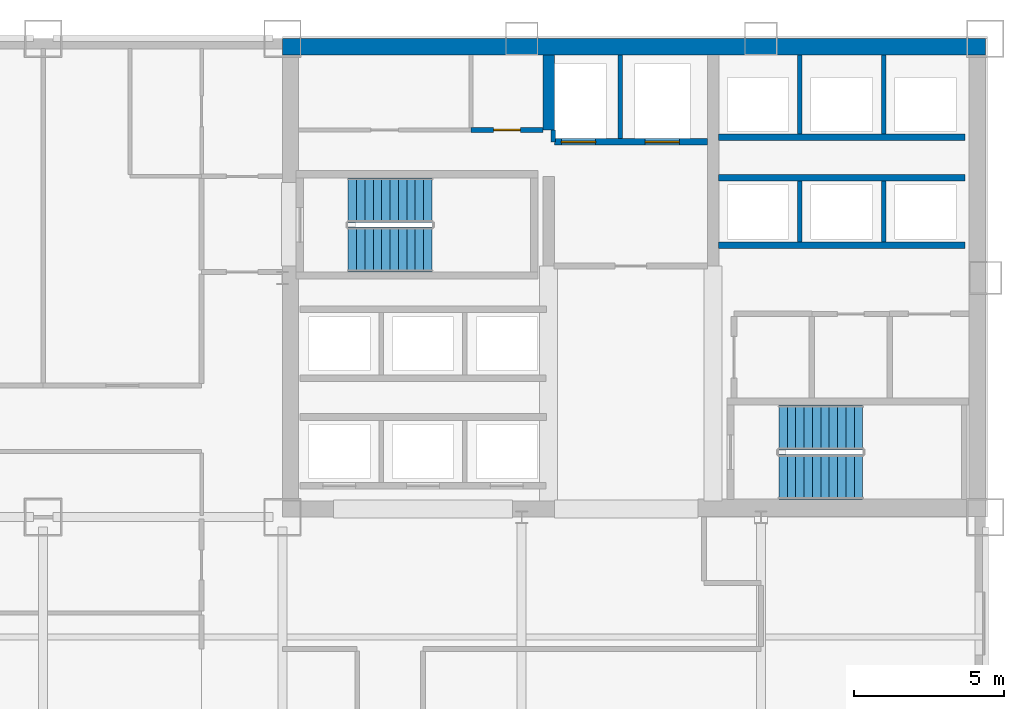
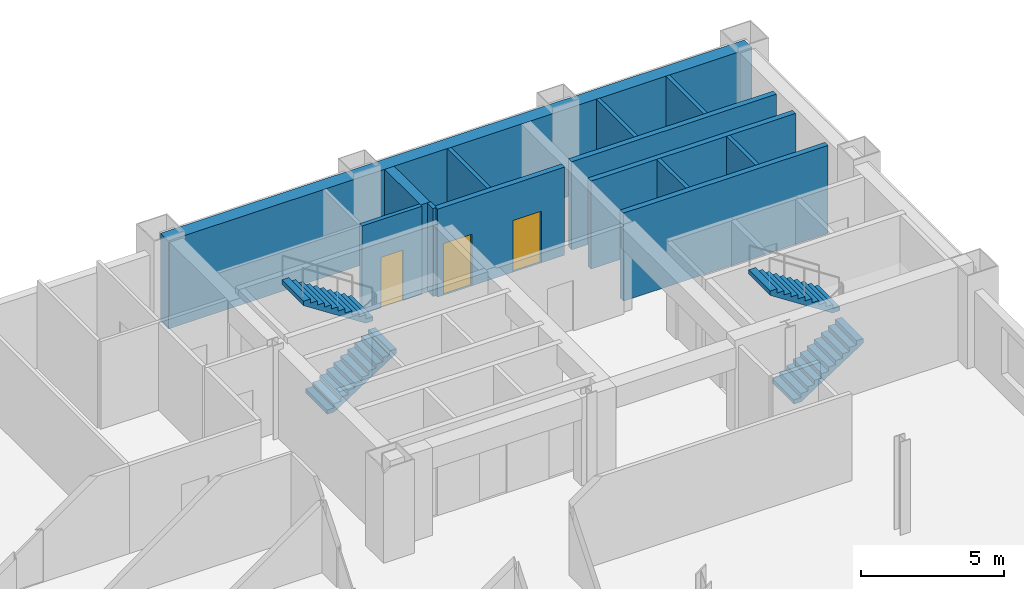
# One storey, part 7 of 9: 13 walls, 4 stair flights, 3 doors, 3 openings, 2 elements without a shape of their own.
"""IFC4 building model written with IfcOpenShell, lengths in metres."""

from ifc_helpers import new_model, si_unit, direction, frame, frame_2d, origin, place, context, subcontext, project, spatial, polyline, rectangle, outline, extrude, material, layer, layer_set, type_object, element, fill, aggregate, save


model = new_model("IFC4")

# Units and contexts
model_context = context("Model", 3, precision=1e-05, world=origin(), true_north=direction((0.0, 1.0)))
body_context = subcontext(model_context, "Body", "Model", "MODEL_VIEW")
ifc_project = project(units=[si_unit("LENGTHUNIT", "METRE"), si_unit("AREAUNIT", "SQUARE_METRE"), si_unit("VOLUMEUNIT", "CUBIC_METRE"), si_unit("PLANEANGLEUNIT", "RADIAN"), si_unit("MASSUNIT", "GRAM", prefix="KILO")], contexts=[model_context])

# Site, building, storey
site_placement = place(None, origin())
site = spatial("IfcSite", under=ifc_project, at=site_placement, CompositionType="ELEMENT")
building_placement = place(site_placement, origin())
building = spatial("IfcBuilding", under=site, at=building_placement, Name="Qianrong Seaharbour Tower", CompositionType="ELEMENT")
storey_placement = place(building_placement, frame((0.0, 0.0, 44.199951171875)))
storey = spatial("IfcBuildingStorey", under=building, at=storey_placement, Name="L10", CompositionType="ELEMENT", Elevation=44.199951171875)

# Walls
ifc_material_1 = material(Name="Concrete C70/85", Category="concrete")
ifc_layer_1 = layer(ifc_material_1, 0.5400390625)
ifc_layer_set_1 = layer_set([ifc_layer_1], Name="Concrete C70/85")
wall_type_1 = type_object("IfcWallType", Name="WALL-CORE-540", PredefinedType="SHEAR", material=ifc_layer_set_1)
wall_1_placement = place(storey_placement, frame((40.5, 51.72998046875, 0.0), z_axis=(0.0, 0.0, 1.0), x_axis=(1.0, 0.0, 0.0)))
element("IfcWall", 1, at=wall_1_placement, inside=storey, type_object=wall_type_1, Name="L10 North Core Shear Wall", PredefinedType="SHEAR", context=body_context, shape_type="SweptSolid", body=[
    extrude(rectangle(XDim=23.5, YDim=0.5400390625, at=frame_2d((11.75, 0.0))), origin(), (0.0, 0.0, 1.0), 3.75),
])
ifc_material_2 = material(Name="Concrete C60/75", Category="concrete")
ifc_layer_2 = layer(ifc_material_2, 0.3798828125)
ifc_layer_set_2 = layer_set([ifc_layer_2], Name="Concrete C60/75")
wall_type_2 = type_object("IfcWallType", Name="WALL-CORE-INT-380", PredefinedType="SHEAR", material=ifc_layer_set_2)
wall_2_placement = place(storey_placement, frame((49.39990234375, 48.949951171875, 0.0), z_axis=(0.0, 0.0, 1.0), x_axis=(0.0, 1.0, 0.0)))
element("IfcWall", 2, at=wall_2_placement, inside=storey, type_object=wall_type_2, Name="L10 Internal Core Shear Wall IW1N2", PredefinedType="SHEAR", context=body_context, shape_type="SweptSolid", body=[
    extrude(rectangle(XDim=2.510009765625, YDim=0.3798828125, at=frame_2d((1.2548828125, 0.0))), origin(), (0.0, 0.0, 1.0), 3.75),
])

# Wall, opening, door
ifc_material_3 = material(Name="Fire-rated acoustic gypsum board partition")
ifc_layer_3 = layer(ifc_material_3, 0.1650390625)
ifc_layer_set_3 = layer_set([ifc_layer_3], Name="Fire-rated acoustic gypsum board partition")
wall_type_3 = type_object("IfcWallType", Name="WALL-CORR-PART-165", PredefinedType="PARTITIONING", material=ifc_layer_set_3)
wall_3_placement = place(storey_placement, frame((46.800048828125, 48.949951171875, 0.0), z_axis=(0.0, 0.0, 1.0), x_axis=(1.0, 0.0, 0.0)))
wall_3 = element("IfcWall", 3, at=wall_3_placement, inside=storey, type_object=wall_type_3, Name="L10 Interior Partition Wall 008", PredefinedType="PARTITIONING", context=body_context, shape_type="SweptSolid", body=[
    extrude(rectangle(XDim=2.41796875, YDim=0.1650390625, at=frame_2d((1.208984375, 0.0))), origin(), (0.0, 0.0, 1.0), 3.75),
])
opening_1_placement = place(wall_3_placement, frame((0.759033203125, 0.0, 0.0)))
opening_1 = element("IfcOpeningElement", 4, at=opening_1_placement, cuts=wall_3, Name="Opening DS-01", PredefinedType="OPENING", context=body_context, shape_type="SweptSolid", body=[
    extrude(rectangle(XDim=0.89990234375, YDim=2.14990234375, at=frame_2d((0.449951171875, 1.074951171875))), frame((0.0, 0.092529296875, 0.0), z_axis=(0.0, -1.0, 0.0), x_axis=(1.0, 0.0, 0.0)), (0.0, 0.0, 1.0), 0.18505859375),
])
ifc_material_4 = material(Name="Acoustic timber and galvanized steel fire door assembly", Category="steel")
door_type_1 = type_object("IfcDoorType", Name="DOOR-STORE-900x2150", OperationType="NOTDEFINED", PredefinedType="DOOR", material=ifc_material_4)
door_1_placement = place(opening_1_placement, origin())
door_1 = element("IfcDoor", 5, at=door_1_placement, inside=storey, type_object=door_type_1, Name="L10 Janitor Store Room Door", OperationType="SINGLE_SWING_RIGHT", OverallHeight=2.14990234375, OverallWidth=0.89990234375, PredefinedType="DOOR", context=body_context, shape_type="SweptSolid", body=[
    extrude(rectangle(XDim=0.89990234375, YDim=2.14990234375, at=frame_2d((0.449951171875, 1.074951171875))), frame((0.0, 0.02490234375, 0.0), z_axis=(0.0, -1.0, 0.0), x_axis=(1.0, 0.0, 0.0)), (0.0, 0.0, 1.0), 0.050048828125),
])
fill(opening_1, door_1)

# Walls
ifc_material_5 = material(Name="Fire-rated gypsum board on steel studs", Category="steel")
ifc_layer_4 = layer(ifc_material_5, 0.14990234375)
ifc_layer_set_4 = layer_set([ifc_layer_4], Name="Fire-rated gypsum board on steel studs")
wall_type_4 = type_object("IfcWallType", Name="WALL-SHAFT-DIV-150", PredefinedType="PARTITIONING", material=ifc_layer_set_4)
wall_4_placement = place(storey_placement, frame((51.800048828125, 48.669921875, 0.0), z_axis=(0.0, 0.0, 1.0), x_axis=(0.0, 1.0, 0.0)))
element("IfcWall", 6, at=wall_4_placement, inside=storey, type_object=wall_type_4, Name="L10 Firefighting Lift Shaft Divider Wall", PredefinedType="PARTITIONING", context=body_context, shape_type="SweptSolid", body=[
    extrude(rectangle(XDim=2.7900390625, YDim=0.14990234375, at=frame_2d((1.39501953125, 0.0))), origin(), (0.0, 0.0, 1.0), 3.75),
])
wall_5_placement = place(storey_placement, frame((49.550048828125, 48.550048828125, 0.0), z_axis=(0.0, 0.0, 1.0), x_axis=(0.0, 1.0, 0.0)))
element("IfcWall", 7, at=wall_5_placement, inside=storey, type_object=wall_type_4, Name="L10 Firefighting Lift Shaft West Return Wall", PredefinedType="PARTITIONING", context=body_context, shape_type="SweptSolid", body=[
    extrude(rectangle(XDim=0.39990234375, YDim=0.14990234375, at=frame_2d((0.199951171875, 0.0))), origin(), (0.0, 0.0, 1.0), 3.75),
])
for number, where, z_axis, x_axis, name in (
    (8, (57.800048828125, 45.2099609375, 0.0), (0.0, 0.0, 1.0), (0.0, 1.0, 0.0), "L10 P3 Lift Hoistway Divider 2"),
    (9, (60.60009765625, 45.2099609375, 0.0), (0.0, 0.0, 1.0), (0.0, 1.0, 0.0), "L10 P3 Lift Hoistway Divider 3"),
):
    element("IfcWall", number, at=place(storey_placement, frame(where, z_axis=z_axis, x_axis=x_axis)), inside=storey, type_object=wall_type_4, Name=name, PredefinedType="PARTITIONING", context=body_context, shape_type="SweptSolid", body=[
        extrude(rectangle(XDim=2.030029296875, YDim=0.14990234375, at=frame_2d((1.01513671875, 0.0))), origin(), (0.0, 0.0, 1.0), 3.75),
    ])
for number, where, z_axis, x_axis, name in (
    (10, (57.800048828125, 48.81005859375, 0.0), (0.0, 0.0, 1.0), (0.0, 1.0, 0.0), "L10 P4 Lift Hoistway Divider 2"),
    (11, (60.60009765625, 48.81005859375, 0.0), (0.0, 0.0, 1.0), (0.0, 1.0, 0.0), "L10 P4 Lift Hoistway Divider 3"),
):
    element("IfcWall", number, at=place(storey_placement, frame(where, z_axis=z_axis, x_axis=x_axis)), inside=storey, type_object=wall_type_4, Name=name, PredefinedType="PARTITIONING", context=body_context, shape_type="SweptSolid", body=[
        extrude(rectangle(XDim=2.64990234375, YDim=0.14990234375, at=frame_2d((1.324951171875, 0.0))), origin(), (0.0, 0.0, 1.0), 3.75),
    ])

# Wall, openings, doors
ifc_layer_5 = layer(ifc_material_5, 0.219970703125)
ifc_layer_set_5 = layer_set([ifc_layer_5], Name="Fire-rated gypsum board on steel studs")
wall_type_5 = type_object("IfcWallType", Name="WALL-SHAFT-GYP220", PredefinedType="PARTITIONING", material=ifc_layer_set_5)
wall_6_placement = place(storey_placement, frame((54.7099609375, 48.550048828125, 0.0), z_axis=(0.0, 0.0, 1.0), x_axis=(-1.0, 0.0, 0.0)))
wall_6 = element("IfcWall", 12, at=wall_6_placement, inside=storey, type_object=wall_type_5, Name="L10 Firefighting Lift Shaft Front Wall", PredefinedType="PARTITIONING", context=body_context, shape_type="SweptSolid", body=[
    extrude(rectangle(XDim=5.119873046875, YDim=0.219970703125, at=frame_2d((2.56005859375, 0.0))), origin(), (0.0, 0.0, 1.0), 3.75),
])
opening_2_placement = place(wall_6_placement, frame((3.735107421875, 0.0, 0.0)))
opening_2 = element("IfcOpeningElement", 13, at=opening_2_placement, cuts=wall_6, Name="Opening LD-01", PredefinedType="OPENING", context=body_context, shape_type="SweptSolid", body=[
    extrude(rectangle(XDim=1.14990234375, YDim=2.199951171875, at=frame_2d((0.574951171875, 1.10009765625))), frame((0.0, 0.1201171875, 0.0), z_axis=(0.0, -1.0, 0.0), x_axis=(1.0, 0.0, 0.0)), (0.0, 0.0, 1.0), 0.239990234375),
])
opening_3_placement = place(wall_6_placement, frame((0.93505859375, 0.0, 0.0)))
opening_3 = element("IfcOpeningElement", 14, at=opening_3_placement, cuts=wall_6, Name="Opening LD-01", PredefinedType="OPENING", context=body_context, shape_type="SweptSolid", body=[
    extrude(rectangle(XDim=1.14990234375, YDim=2.199951171875, at=frame_2d((0.574951171875, 1.10009765625))), frame((0.0, 0.1201171875, 0.0), z_axis=(0.0, -1.0, 0.0), x_axis=(1.0, 0.0, 0.0)), (0.0, 0.0, 1.0), 0.239990234375),
])
ifc_material_6 = material(Name="Stainless steel SUS316L bi-parting lift landing door", Category="steel")
door_type_2 = type_object("IfcDoorType", Name="DOOR-LIFT-FF-1150x2200", OperationType="DOUBLE_DOOR_SLIDING", PredefinedType="DOOR", material=ifc_material_6)
door_2_placement = place(opening_2_placement, origin())
door_2 = element("IfcDoor", 15, at=door_2_placement, inside=storey, type_object=door_type_2, Name="L10 FL-1 Firefighting Lift Landing Door", OperationType="DOUBLE_DOOR_SLIDING", OverallHeight=2.199951171875, OverallWidth=1.14990234375, PredefinedType="DOOR", context=body_context, shape_type="SweptSolid", body=[
    extrude(rectangle(XDim=1.14990234375, YDim=2.199951171875, at=frame_2d((0.574951171875, 1.10009765625))), frame((0.0, 0.02490234375, 0.0), z_axis=(0.0, -1.0, 0.0), x_axis=(1.0, 0.0, 0.0)), (0.0, 0.0, 1.0), 0.050048828125),
])
fill(opening_2, door_2)
door_3_placement = place(opening_3_placement, origin())
door_3 = element("IfcDoor", 16, at=door_3_placement, inside=storey, type_object=door_type_2, Name="L10 FL-2 Firefighting Lift Landing Door", OperationType="DOUBLE_DOOR_SLIDING", OverallHeight=2.199951171875, OverallWidth=1.14990234375, PredefinedType="DOOR", context=body_context, shape_type="SweptSolid", body=[
    extrude(rectangle(XDim=1.14990234375, YDim=2.199951171875, at=frame_2d((0.574951171875, 1.10009765625))), frame((0.0, 0.02490234375, 0.0), z_axis=(0.0, -1.0, 0.0), x_axis=(1.0, 0.0, 0.0)), (0.0, 0.0, 1.0), 0.050048828125),
])
fill(opening_3, door_3)

# Walls
for number, where, z_axis, x_axis, name in (
    (17, (63.320068359375, 45.10009765625, 0.0), (0.0, 0.0, 1.0), (-1.0, 0.0, 0.0), "L10 P3 Lift Hoistway Front Wall"),
    (18, (55.080078125, 47.35009765625, 0.0), (0.0, 0.0, 1.0), (1.0, 0.0, 0.0), "L10 P3 Lift Hoistway Back Wall"),
    (19, (63.320068359375, 48.699951171875, 0.0), (0.0, 0.0, 1.0), (-1.0, 0.0, 0.0), "L10 P4 Lift Hoistway Front Wall"),
):
    element("IfcWall", number, at=place(storey_placement, frame(where, z_axis=z_axis, x_axis=x_axis)), inside=storey, type_object=wall_type_5, Name=name, PredefinedType="PARTITIONING", context=body_context, shape_type="SweptSolid", body=[
        extrude(rectangle(XDim=8.239990234375, YDim=0.219970703125, at=frame_2d((4.1201171875, 0.0))), origin(), (0.0, 0.0, 1.0), 3.75),
    ])

# Stair, stair flights
ifc_material_7 = material(Name="Concrete C50/60", Category="concrete")
stair_type = type_object("IfcStairType", Name="STAIR-DOGLEG-1500-R22", PredefinedType="HALF_TURN_STAIR", material=ifc_material_7)
stair_1_placement = place(storey_placement, origin())
stair_1 = element("IfcStair", 20, at=stair_1_placement, inside=storey, type_object=stair_type, Name="L10 Protected Escape Stair ST-1", PredefinedType="HALF_TURN_STAIR")
stair_flight_type = type_object("IfcStairFlightType", Name="FLIGHT-STR-1500-R22", PredefinedType="STRAIGHT", material=ifc_material_7)
stair_flight_1_placement = place(storey_placement, frame((42.699951171875, 44.949951171875, 0.0), z_axis=(0.0, 0.0, 1.0), x_axis=(1.0, 0.0, 0.0)))
stair_flight_1 = element("IfcStairFlight", 21, at=stair_flight_1_placement, type_object=stair_flight_type, Name="ST-1 flight 1", NumberOfRisers=11, NumberOfTreads=10, PredefinedType="STRAIGHT", RiserHeight=0.181818182, TreadLength=0.28, context=body_context, shape_type="SweptSolid", body=[
    extrude(outline(polyline([(0.0, 0.0), (0.0, 0.181884765625), (0.280029296875, 0.181884765625), (0.280029296875, 0.363525390625), (0.56005859375, 0.363525390625), (0.56005859375, 0.54541015625), (0.840087890625, 0.54541015625), (0.840087890625, 0.727294921875), (1.1201171875, 0.727294921875), (1.1201171875, 0.9091796875), (1.39990234375, 0.9091796875), (1.39990234375, 1.0908203125), (1.679931640625, 1.0908203125), (1.679931640625, 1.272705078125), (1.9599609375, 1.272705078125), (1.9599609375, 1.45458984375), (2.239990234375, 1.45458984375), (2.239990234375, 1.636474609375), (2.52001953125, 1.636474609375), (2.52001953125, 1.818115234375), (2.800048828125, 1.818115234375), (2.800048828125, 2.0), (2.800048828125, 1.62744140625), (0.293701171875, 0.0), (0.0, 0.0)])), frame((0.0, 0.75, 0.0), z_axis=(0.0, -1.0, 0.0), x_axis=(1.0, 0.0, 0.0)), (0.0, 0.0, 1.0), 1.5),
])
stair_flight_2_placement = place(storey_placement, frame((45.5, 46.60009765625, 2.0), z_axis=(0.0, 0.0, 1.0), x_axis=(-1.0, 0.0, 0.0)))
stair_flight_2 = element("IfcStairFlight", 22, at=stair_flight_2_placement, type_object=stair_flight_type, Name="ST-1 flight 2", NumberOfRisers=11, NumberOfTreads=10, PredefinedType="STRAIGHT", RiserHeight=0.181818182, TreadLength=0.28, context=body_context, shape_type="SweptSolid", body=[
    extrude(outline(polyline([(0.0, 0.0), (0.0, 0.181884765625), (0.280029296875, 0.181884765625), (0.280029296875, 0.363525390625), (0.56005859375, 0.363525390625), (0.56005859375, 0.54541015625), (0.840087890625, 0.54541015625), (0.840087890625, 0.727294921875), (1.1201171875, 0.727294921875), (1.1201171875, 0.9091796875), (1.39990234375, 0.9091796875), (1.39990234375, 1.0908203125), (1.679931640625, 1.0908203125), (1.679931640625, 1.272705078125), (1.9599609375, 1.272705078125), (1.9599609375, 1.45458984375), (2.239990234375, 1.45458984375), (2.239990234375, 1.636474609375), (2.52001953125, 1.636474609375), (2.52001953125, 1.818115234375), (2.800048828125, 1.818115234375), (2.800048828125, 2.0), (2.800048828125, 1.62744140625), (0.293701171875, 0.0), (0.0, 0.0)])), frame((0.0, 0.75, 0.0), z_axis=(0.0, -1.0, 0.0), x_axis=(1.0, 0.0, 0.0)), (0.0, 0.0, 1.0), 1.5),
])
aggregate(stair_1, [stair_flight_1, stair_flight_2])

stair_2_placement = place(storey_placement, origin())
stair_2 = element("IfcStair", 23, at=stair_2_placement, inside=storey, type_object=stair_type, Name="L10 Protected Escape Stair ST-2", PredefinedType="HALF_TURN_STAIR")
stair_flight_3_placement = place(storey_placement, frame((57.10009765625, 37.35009765625, 0.0), z_axis=(0.0, 0.0, 1.0), x_axis=(1.0, 0.0, 0.0)))
stair_flight_3 = element("IfcStairFlight", 24, at=stair_flight_3_placement, type_object=stair_flight_type, Name="ST-2 flight 1", NumberOfRisers=11, NumberOfTreads=10, PredefinedType="STRAIGHT", RiserHeight=0.181818182, TreadLength=0.28, context=body_context, shape_type="SweptSolid", body=[
    extrude(outline(polyline([(0.0, 0.0), (0.0, 0.181884765625), (0.280029296875, 0.181884765625), (0.280029296875, 0.363525390625), (0.56005859375, 0.363525390625), (0.56005859375, 0.54541015625), (0.840087890625, 0.54541015625), (0.840087890625, 0.727294921875), (1.1201171875, 0.727294921875), (1.1201171875, 0.9091796875), (1.39990234375, 0.9091796875), (1.39990234375, 1.0908203125), (1.679931640625, 1.0908203125), (1.679931640625, 1.272705078125), (1.9599609375, 1.272705078125), (1.9599609375, 1.45458984375), (2.239990234375, 1.45458984375), (2.239990234375, 1.636474609375), (2.52001953125, 1.636474609375), (2.52001953125, 1.818115234375), (2.800048828125, 1.818115234375), (2.800048828125, 2.0), (2.800048828125, 1.62744140625), (0.293701171875, 0.0), (0.0, 0.0)])), frame((0.0, 0.75, 0.0), z_axis=(0.0, -1.0, 0.0), x_axis=(1.0, 0.0, 0.0)), (0.0, 0.0, 1.0), 1.5),
])
stair_flight_4_placement = place(storey_placement, frame((59.89990234375, 39.0, 2.0), z_axis=(0.0, 0.0, 1.0), x_axis=(-1.0, 0.0, 0.0)))
stair_flight_4 = element("IfcStairFlight", 25, at=stair_flight_4_placement, type_object=stair_flight_type, Name="ST-2 flight 2", NumberOfRisers=11, NumberOfTreads=10, PredefinedType="STRAIGHT", RiserHeight=0.181818182, TreadLength=0.28, context=body_context, shape_type="SweptSolid", body=[
    extrude(outline(polyline([(0.0, 0.0), (0.0, 0.181884765625), (0.280029296875, 0.181884765625), (0.280029296875, 0.363525390625), (0.56005859375, 0.363525390625), (0.56005859375, 0.54541015625), (0.840087890625, 0.54541015625), (0.840087890625, 0.727294921875), (1.1201171875, 0.727294921875), (1.1201171875, 0.9091796875), (1.39990234375, 0.9091796875), (1.39990234375, 1.0908203125), (1.679931640625, 1.0908203125), (1.679931640625, 1.272705078125), (1.9599609375, 1.272705078125), (1.9599609375, 1.45458984375), (2.239990234375, 1.45458984375), (2.239990234375, 1.636474609375), (2.52001953125, 1.636474609375), (2.52001953125, 1.818115234375), (2.800048828125, 1.818115234375), (2.800048828125, 2.0), (2.800048828125, 1.62744140625), (0.293701171875, 0.0), (0.0, 0.0)])), frame((0.0, 0.75, 0.0), z_axis=(0.0, -1.0, 0.0), x_axis=(1.0, 0.0, 0.0)), (0.0, 0.0, 1.0), 1.5),
])
aggregate(stair_2, [stair_flight_3, stair_flight_4])

save(model, "model.ifc")
